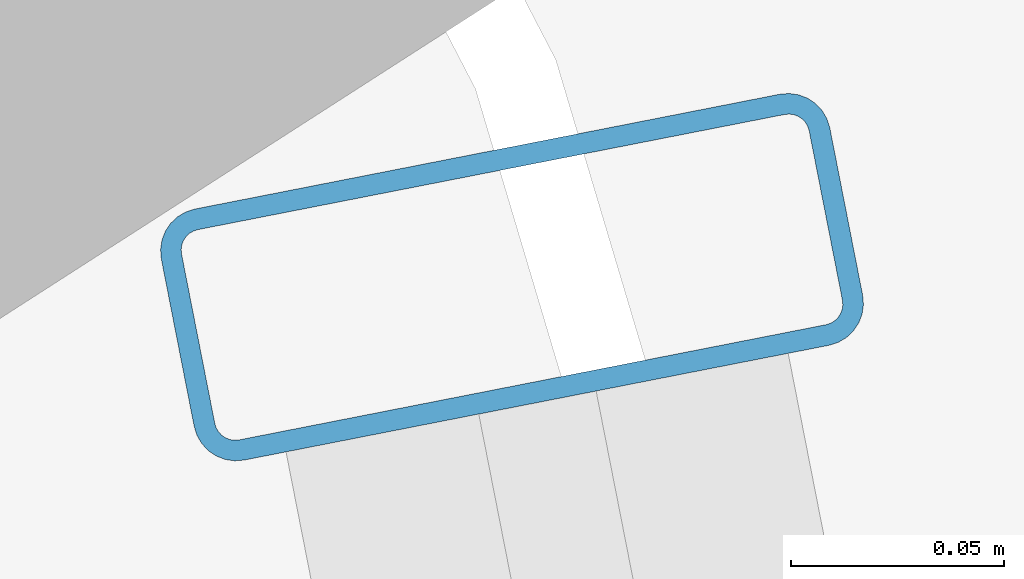
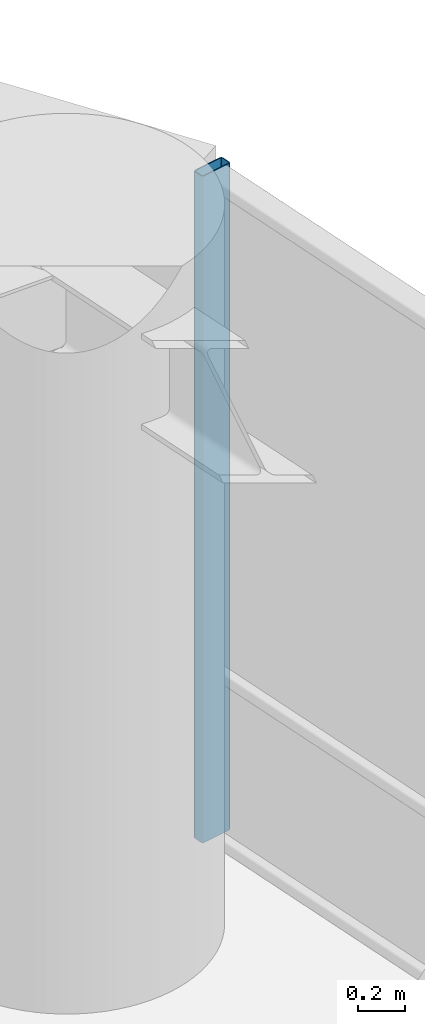
# One storey, part 27 of 35: 1 member, 1 element without a shape of its own.
"""IFC4 building model written with IfcOpenShell, lengths in metres."""

from ifc_helpers import new_model, si_unit, direction, frame, origin, origin_2d, place, context, subcontext, project, spatial, hollow_rectangle, extrude, material, layer, layer_set, material_profile, profile_set, type_object, element, aggregate, save


model = new_model("IFC4")

# Units and contexts
model_context = context("Model", 3, precision=1e-05, world=origin(), true_north=direction((0.0, 1.0)))
body_context = subcontext(model_context, "Body", "Model", "MODEL_VIEW")
ifc_project = project(units=[si_unit("LENGTHUNIT", "METRE"), si_unit("AREAUNIT", "SQUARE_METRE"), si_unit("VOLUMEUNIT", "CUBIC_METRE"), si_unit("PLANEANGLEUNIT", "RADIAN"), si_unit("MASSUNIT", "GRAM", prefix="KILO")], contexts=[model_context])

# Site, building, storey
site_placement = place(None, origin())
site = spatial("IfcSite", under=ifc_project, at=site_placement, CompositionType="ELEMENT")
building_placement = place(site_placement, origin())
building = spatial("IfcBuilding", under=site, at=building_placement, Name="Kelanora Arch Commons", CompositionType="ELEMENT")
storey_placement = place(building_placement, frame((0.0, 0.0, 121.35009765625)))
storey = spatial("IfcBuildingStorey", under=building, at=storey_placement, Name="L31", CompositionType="ELEMENT", Elevation=121.35009765625)

# Curtain wall, member
ifc_material_1 = material(Name="Terracotta ceramic-fritted low-E glass and aluminium", Category="masonry")
ifc_layer = layer(ifc_material_1, 0.159912109375)
ifc_layer_set = layer_set([ifc_layer], Name="Terracotta ceramic-fritted low-E glass and aluminium")
curtain_wall_type = type_object("IfcCurtainWallType", Name="CW-SYS-01", PredefinedType="NOTDEFINED", material=ifc_layer_set)
curtain_wall_placement = place(storey_placement, origin())
curtain_wall = element("IfcCurtainWall", 1, at=curtain_wall_placement, inside=storey, type_object=curtain_wall_type, Name="Unitised Curtain Wall L31-B00", PredefinedType="NOTDEFINED")
ifc_material_2 = material(Name="Powder-coated aluminium terracotta", Category="masonry")
ifc_material_profile = material_profile(ifc_material_2, hollow_rectangle(XDim=0.159912109375, YDim=0.06005859375, WallThickness=0.0048828125, InnerFilletRadius=0.0048828125, OuterFilletRadius=0.010009765625, at=origin_2d()), Name="CWM160x60")
ifc_profile_set = profile_set([ifc_material_profile], Name="Powder-coated aluminium terracotta")
member_type = type_object("IfcMemberType", Name="CWM-STD", PredefinedType="MULLION", material=ifc_profile_set)
member_placement = place(storey_placement, frame((98.064697265625, 65.822265625, 0.0), z_axis=(0.0, 0.0, 1.0), x_axis=(-0.981280311646, -0.192584916272, 0.0)))
member = element("IfcMember", 2, at=member_placement, type_object=member_type, Name="CW-01 mullion 3", PredefinedType="MULLION", context=body_context, shape_type="SweptSolid", body=[
    extrude(hollow_rectangle(XDim=0.159912109375, YDim=0.06005859375, WallThickness=0.0048828125, InnerFilletRadius=0.0048828125, OuterFilletRadius=0.010009765625, at=origin_2d()), origin(), (0.0, 0.0, 1.0), 3.474853515625),
])
aggregate(curtain_wall, [member])

save(model, "model.ifc")
